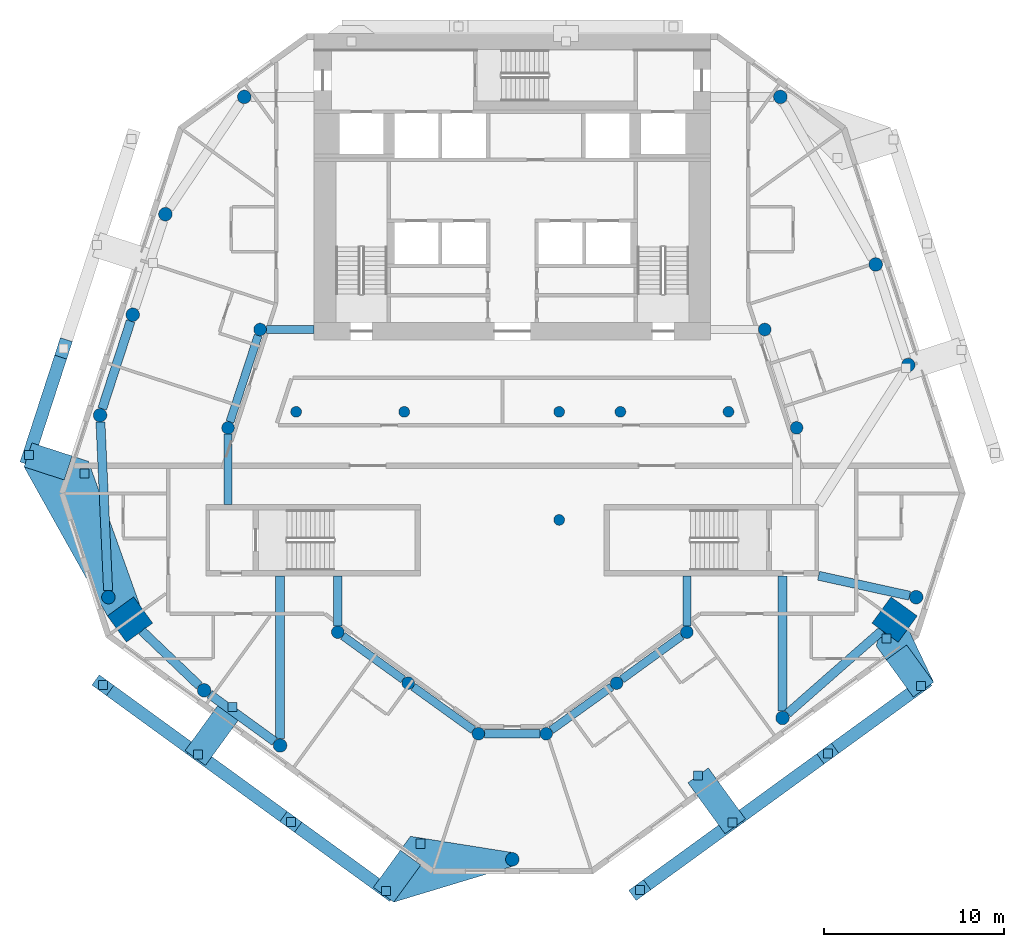
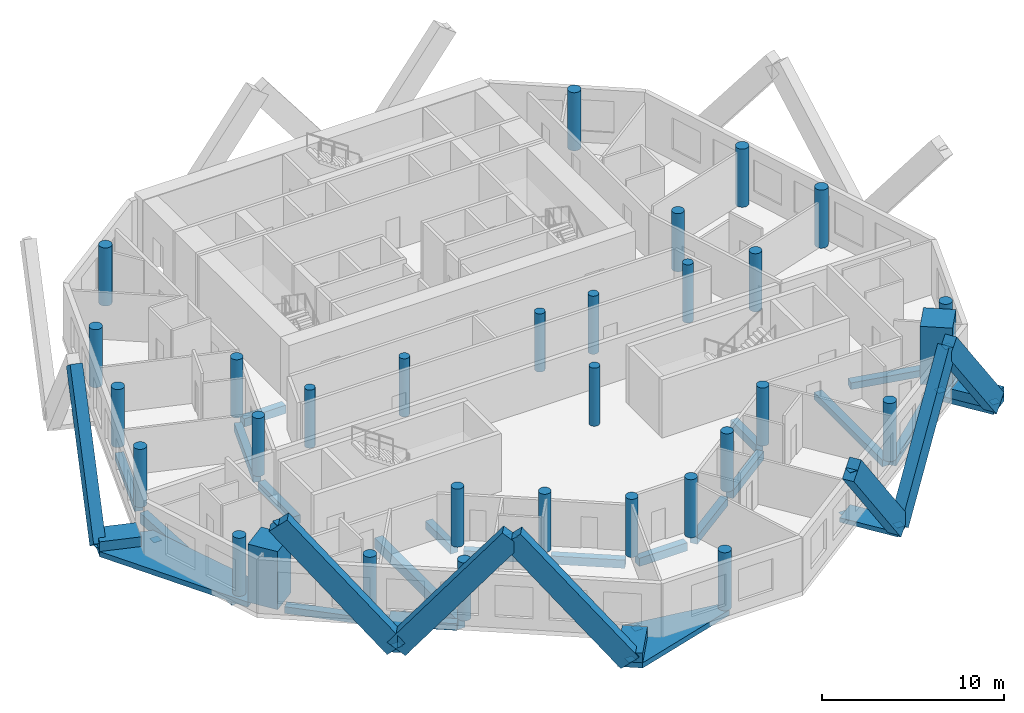
# One storey, part 1 of 10: 31 columns, 18 beams, 15 members, 14 discrete accessories.
"""IFC4 building model written with IfcOpenShell, lengths in metres."""

from ifc_helpers import new_model, si_unit, direction, frame, origin, origin_2d, place, context, subcontext, project, spatial, polyline, rectangle, circle, outline, extrude, material, layer, layer_set, material_profile, profile_set, type_object, element, aggregate, save


model = new_model("IFC4")

# Units and contexts
model_context = context("Model", 3, precision=1e-05, world=origin(), true_north=direction((0.0, 1.0)))
body_context = subcontext(model_context, "Body", "Model", "MODEL_VIEW")
ifc_project = project(units=[si_unit("LENGTHUNIT", "METRE"), si_unit("AREAUNIT", "SQUARE_METRE"), si_unit("VOLUMEUNIT", "CUBIC_METRE"), si_unit("PLANEANGLEUNIT", "RADIAN"), si_unit("MASSUNIT", "GRAM", prefix="KILO")], contexts=[model_context])

# Site, building, storey
site_placement = place(None, origin())
site = spatial("IfcSite", under=ifc_project, at=site_placement, CompositionType="ELEMENT")
building_placement = place(site_placement, origin())
building = spatial("IfcBuilding", under=site, at=building_placement, Name="White Candle Pilgrim Tower", CompositionType="ELEMENT")
storey_placement = place(building_placement, frame((0.0, 0.0, 183.699951171875)))
storey = spatial("IfcBuildingStorey", under=building, at=storey_placement, Name="L42", CompositionType="ELEMENT", Elevation=183.699951171875)

# Columns
ifc_material_1 = material(Name="Concrete C70/85", Category="concrete")
ifc_material_profile_1 = material_profile(ifc_material_1, circle(Radius=0.300048828125, at=origin_2d()), Name="RC-COL D600")
ifc_profile_set_1 = profile_set([ifc_material_profile_1], Name="Concrete C70/85")
column_type_1 = type_object("IfcColumnType", Name="Interior column RC-COL D600 C70/85", PredefinedType="COLUMN", material=ifc_profile_set_1)
for number, where, z_axis, x_axis, name in (
    (1, (58.0, 67.0, 0.0), (0.0, 0.0, 1.0), (1.0, 0.0, 0.0), "L42 column I01"),
    (2, (64.0, 67.0, 0.0), (0.0, 0.0, 1.0), (1.0, 0.0, 0.0), "L42 column I02"),
    (3, (72.60009765625, 61.0, 0.0), (0.0, 0.0, 1.0), (1.0, 0.0, 0.0), "L42 column I03"),
    (4, (72.60009765625, 67.0, 0.0), (0.0, 0.0, 1.0), (1.0, 0.0, 0.0), "L42 column I04"),
    (5, (76.0, 67.0, 0.0), (0.0, 0.0, 1.0), (1.0, 0.0, 0.0), "L42 column I05"),
    (6, (82.0, 67.0, 0.0), (0.0, 0.0, 1.0), (1.0, 0.0, 0.0), "L42 column I06"),
):
    element("IfcColumn", number, at=place(storey_placement, frame(where, z_axis=z_axis, x_axis=x_axis)), inside=storey, type_object=column_type_1, Name=name, PredefinedType="COLUMN", context=body_context, shape_type="SweptSolid", body=[
        extrude(circle(Radius=0.300048828125, at=origin_2d()), origin(), (0.0, 0.0, 1.0), 3.900146484375),
    ])
ifc_material_profile_2 = material_profile(ifc_material_1, rectangle(XDim=1.800048828125, YDim=1.800048828125, at=origin_2d()), Name="RC 1800x1800")
ifc_profile_set_2 = profile_set([ifc_material_profile_2], Name="Concrete C70/85")
column_type_2 = type_object("IfcColumnType", Name="Mega column RC 1800x1800 C70/85", PredefinedType="COLUMN", material=ifc_profile_set_2)
for number, where, z_axis, x_axis, name in (
    (7, (48.780029296875, 55.469970703125, 0.0), (0.0, 0.0, 1.0), (-0.809016994375, -0.587785252292, 0.0), "L42 mega column T02"),
    (8, (91.219970703125, 55.469970703125, 0.0), (0.0, 0.0, 1.0), (0.809016994375, -0.587785252292, 0.0), "L42 mega column T07"),
):
    element("IfcColumn", number, at=place(storey_placement, frame(where, z_axis=z_axis, x_axis=x_axis)), inside=storey, type_object=column_type_2, Name=name, PredefinedType="COLUMN", context=body_context, shape_type="SweptSolid", body=[
        extrude(rectangle(XDim=1.800048828125, YDim=1.800048828125, at=origin_2d()), origin(), (0.0, 0.0, 1.0), 3.900146484375),
    ])
ifc_material_profile_3 = material_profile(ifc_material_1, circle(Radius=0.375, at=origin_2d()), Name="RC-COL D750")
ifc_profile_set_3 = profile_set([ifc_material_profile_3], Name="Concrete C70/85")
column_type_3 = type_object("IfcColumnType", Name="Perimeter column RC-COL D750 C70/85", PredefinedType="COLUMN", material=ifc_profile_set_3)
for number, where, z_axis, x_axis, name in (
    (9, (47.580078125, 56.7099609375, 0.0), (0.0, 0.0, 1.0), (1.0, 0.0, 0.0), "L42 column T01"),
    (10, (52.889892578125, 51.5400390625, 0.0), (0.0, 0.0, 1.0), (1.0, 0.0, 0.0), "L42 column T03"),
    (11, (57.110107421875, 48.47998046875, 0.0), (0.0, 0.0, 1.0), (1.0, 0.0, 0.0), "L42 column T04"),
    (12, (70.0, 42.159912109375, 0.0), (0.0, 0.0, 1.0), (1.0, 0.0, 0.0), "L42 column T05"),
    (13, (85.0, 50.010009765625, 0.0), (0.0, 0.0, 1.0), (1.0, 0.0, 0.0), "L42 column T06"),
    (14, (92.419921875, 56.7099609375, 0.0), (0.0, 0.0, 1.0), (1.0, 0.0, 0.0), "L42 column T08"),
    (15, (91.97998046875, 69.60009765625, 0.0), (0.0, 0.0, 1.0), (1.0, 0.0, 0.0), "L42 column T09"),
    (16, (90.169921875, 75.179931640625, 0.0), (0.0, 0.0, 1.0), (1.0, 0.0, 0.0), "L42 column T10"),
    (17, (84.8798828125, 84.47998046875, 0.0), (0.0, 0.0, 1.0), (1.0, 0.0, 0.0), "L42 column T11"),
    (18, (55.1201171875, 84.47998046875, 0.0), (0.0, 0.0, 1.0), (1.0, 0.0, 0.0), "L42 column T12"),
    (19, (50.739990234375, 77.969970703125, 0.0), (0.0, 0.0, 1.0), (1.0, 0.0, 0.0), "L42 column T13"),
    (20, (48.929931640625, 72.389892578125, 0.0), (0.0, 0.0, 1.0), (1.0, 0.0, 0.0), "L42 column T14"),
    (21, (47.1201171875, 66.81005859375, 0.0), (0.0, 0.0, 1.0), (1.0, 0.0, 0.0), "L42 column T15"),
):
    element("IfcColumn", number, at=place(storey_placement, frame(where, z_axis=z_axis, x_axis=x_axis)), inside=storey, type_object=column_type_3, Name=name, PredefinedType="COLUMN", context=body_context, shape_type="SweptSolid", body=[
        extrude(circle(Radius=0.375, at=origin_2d()), origin(), (0.0, 0.0, 1.0), 3.900146484375),
    ])
ifc_material_profile_4 = material_profile(ifc_material_1, circle(Radius=0.35009765625, at=origin_2d()), Name="RC-COL D700")
ifc_profile_set_4 = profile_set([ifc_material_profile_4], Name="Concrete C70/85")
column_type_4 = type_object("IfcColumnType", Name="Ring column RC-COL D700 C70/85", PredefinedType="COLUMN", material=ifc_profile_set_4)
for number, where, z_axis, x_axis, name in (
    (22, (60.31005859375, 54.77001953125, 0.0), (0.0, 0.0, 1.0), (1.0, 0.0, 0.0), "L42 column R01"),
    (23, (64.219970703125, 51.93994140625, 0.0), (0.0, 0.0, 1.0), (1.0, 0.0, 0.0), "L42 column R02"),
    (24, (68.1201171875, 49.1298828125, 0.0), (0.0, 0.0, 1.0), (1.0, 0.0, 0.0), "L42 column R03"),
    (25, (71.8798828125, 49.1298828125, 0.0), (0.0, 0.0, 1.0), (1.0, 0.0, 0.0), "L42 column R04"),
    (26, (75.7900390625, 51.93994140625, 0.0), (0.0, 0.0, 1.0), (1.0, 0.0, 0.0), "L42 column R05"),
    (27, (79.68994140625, 54.77001953125, 0.0), (0.0, 0.0, 1.0), (1.0, 0.0, 0.0), "L42 column R06"),
    (28, (85.780029296875, 66.110107421875, 0.0), (0.0, 0.0, 1.0), (1.0, 0.0, 0.0), "L42 column R07"),
    (29, (84.010009765625, 71.570068359375, 0.0), (0.0, 0.0, 1.0), (1.0, 0.0, 0.0), "L42 column R08"),
    (30, (56.0, 71.570068359375, 0.0), (0.0, 0.0, 1.0), (1.0, 0.0, 0.0), "L42 column R09"),
    (31, (54.219970703125, 66.110107421875, 0.0), (0.0, 0.0, 1.0), (1.0, 0.0, 0.0), "L42 column R10"),
):
    element("IfcColumn", number, at=place(storey_placement, frame(where, z_axis=z_axis, x_axis=x_axis)), inside=storey, type_object=column_type_4, Name=name, PredefinedType="COLUMN", context=body_context, shape_type="SweptSolid", body=[
        extrude(circle(Radius=0.35009765625, at=origin_2d()), origin(), (0.0, 0.0, 1.0), 3.900146484375),
    ])

# Member
ifc_material_2 = material(Name="Concrete C70/85, white", Category="concrete")
ifc_material_profile_5 = material_profile(ifc_material_2, rectangle(XDim=0.699951171875, YDim=1.300048828125, at=origin_2d()), Name="RC-DG 700x1300")
ifc_profile_set_5 = profile_set([ifc_material_profile_5], Name="Concrete C70/85, white")
member_type_1 = type_object("IfcMemberType", Name="Exoskeleton diagonal RC-DG 700x1300 C70/85", PredefinedType="BRACE", material=ifc_profile_set_5)
member_1_placement = place(storey_placement, frame((82.2255859375, 44.191650390625, 0.0), z_axis=(-0.511517138417, -0.371646518601, 0.77474452713), x_axis=(0.587793081984, -0.809011305713, 0.0)))
member_1 = element("IfcMember", 32, at=member_1_placement, inside=storey, type_object=member_type_1, Name="Exoskeleton diagonal EX154", PredefinedType="BRACE", context=body_context, shape_type="SweptSolid", body=[
    extrude(rectangle(XDim=0.699951171875, YDim=1.300048828125, at=origin_2d()), origin(), (0.0, 0.0, 1.0), 10.06787109375),
])

member_2_placement = place(storey_placement, frame((82.2255859375, 44.191650390625, 0.0), z_axis=(0.519513216788, 0.37744607488, 0.766577118195), x_axis=(-0.58778283569, 0.809018750134, 0.0)))
member_2 = element("IfcMember", 33, at=member_2_placement, inside=storey, type_object=member_type_1, Name="Exoskeleton diagonal EX155", PredefinedType="BRACE", context=body_context, shape_type="SweptSolid", body=[
    extrude(rectangle(XDim=0.699951171875, YDim=1.300048828125, at=origin_2d()), origin(), (0.0, 0.0, 1.0), 10.175048828125),
])

member_3_placement = place(storey_placement, frame((92.67626953125, 51.784423828125, 0.0), z_axis=(-0.512391704332, -0.372267566601, 0.773867947514), x_axis=(0.587778227554, -0.809022098099, 0.0)))
member_3 = element("IfcMember", 34, at=member_3_placement, inside=storey, type_object=member_type_1, Name="Exoskeleton diagonal EX156", PredefinedType="BRACE", context=body_context, shape_type="SweptSolid", body=[
    extrude(rectangle(XDim=0.699951171875, YDim=1.300048828125, at=origin_2d()), origin(), (0.0, 0.0, 1.0), 10.079345703125),
])

member_4_placement = place(storey_placement, frame((52.549072265625, 47.988037109375, 0.0), z_axis=(-0.519086120855, 0.377154886627, 0.76700964181), x_axis=(-0.587802332221, -0.809004584805, 0.0)))
member_4 = element("IfcMember", 35, at=member_4_placement, inside=storey, type_object=member_type_1, Name="Exoskeleton diagonal EX166", PredefinedType="BRACE", context=body_context, shape_type="SweptSolid", body=[
    extrude(rectangle(XDim=0.699951171875, YDim=1.300048828125, at=origin_2d()), origin(), (0.0, 0.0, 1.0), 10.16943359375),
])

member_5_placement = place(storey_placement, frame((52.549072265625, 47.988037109375, 0.0), z_axis=(0.51195709922, -0.371946866206, 0.774309664978), x_axis=(0.587773110758, 0.809025815577, 0.0)))
member_5 = element("IfcMember", 36, at=member_5_placement, inside=storey, type_object=member_type_1, Name="Exoskeleton diagonal EX167", PredefinedType="BRACE", context=body_context, shape_type="SweptSolid", body=[
    extrude(rectangle(XDim=0.699951171875, YDim=1.300048828125, at=origin_2d()), origin(), (0.0, 0.0, 1.0), 10.073486328125),
])

member_6_placement = place(storey_placement, frame((62.999755859375, 40.395263671875, 0.0), z_axis=(-0.519934885696, 0.377757321943, 0.766137794627), x_axis=(-0.587787814297, -0.809015132964, 0.0)))
member_6 = element("IfcMember", 37, at=member_6_placement, inside=storey, type_object=member_type_1, Name="Exoskeleton diagonal EX168", PredefinedType="BRACE", context=body_context, shape_type="SweptSolid", body=[
    extrude(rectangle(XDim=0.699951171875, YDim=1.300048828125, at=origin_2d()), origin(), (0.0, 0.0, 1.0), 10.180908203125),
])

member_7_placement = place(storey_placement, frame((43.162109375, 64.592529296875, 0.0), z_axis=(0.192878658945, 0.593578142501, 0.781321196224), x_axis=(-0.9510501925, 0.309036456338, 0.0)))
member_7 = element("IfcMember", 38, at=member_7_placement, inside=storey, type_object=member_type_1, Name="Exoskeleton diagonal EX180", PredefinedType="BRACE", context=body_context, shape_type="SweptSolid", body=[
    extrude(rectangle(XDim=0.699951171875, YDim=1.300048828125, at=origin_2d()), origin(), (0.0, 0.0, 1.0), 9.983154296875),
])

ifc_layer_1 = layer(ifc_material_2, 0.300048828125)
ifc_layer_set_1 = layer_set([ifc_layer_1], Name="Node tie strut 3300x1400x300 C70/85")
member_type_2 = type_object("IfcMemberType", Name="Node tie strut 3300x1400x300 C70/85", PredefinedType="STRUT", material=ifc_layer_set_1)
member_8_placement = place(storey_placement, frame((0.0, 0.0, -0.349853515625)))
member_8 = element("IfcMember", 39, at=member_8_placement, inside=storey, type_object=member_type_2, Name="Node tie strut NC140", PredefinedType="STRUT", context=body_context, shape_type="SweptSolid", body=[
    extrude(outline(polyline([(47.52294921875, 55.669189453125), (48.97900390625, 56.72705078125), (49.3349609375, 56.2373046875), (46.469482421875, 64.254150390625), (43.3310546875, 65.273681640625), (42.898193359375, 63.9423828125), (47.52294921875, 55.669189453125)])), origin(), (0.0, 0.0, 1.0), 0.349853515625),
])

member_9_placement = place(storey_placement, origin())
element("IfcMember", 40, at=member_9_placement, inside=storey, type_object=member_type_2, Name="Node tie strut NC140", PredefinedType="STRUT", context=body_context, shape_type="SweptSolid", body=[
    extrude(outline(polyline([(45.13330078125, 63.216064453125), (45.56591796875, 64.547607421875), (43.3310546875, 65.273681640625), (42.898193359375, 63.9423828125), (45.13330078125, 63.216064453125)])), origin(), (0.0, 0.0, 1.0), 0.650146484375),
])

ifc_layer_2 = layer(ifc_material_2, 0.300048828125)
ifc_layer_set_2 = layer_set([ifc_layer_2], Name="Node tie strut 3500x1400x300 C70/85")
member_type_3 = type_object("IfcMemberType", Name="Node tie strut 3500x1400x300 C70/85", PredefinedType="STRUT", material=ifc_layer_set_2)
member_10_placement = place(storey_placement, frame((81.343994140625, 45.4052734375, -0.2998046875), z_axis=(0.0, 0.0, 1.0), x_axis=(0.809016994375, 0.587785252292, 0.0)))
member_10 = element("IfcMember", 41, at=member_10_placement, inside=storey, type_object=member_type_3, Name="Node tie strut NC135", PredefinedType="STRUT", context=body_context, shape_type="SweptSolid", body=[
    extrude(rectangle(XDim=1.39990234375, YDim=3.5, at=origin_2d()), origin(), (0.0, 0.0, 1.0), 0.300048828125),
])

member_11_placement = place(storey_placement, frame((0.0, 0.0, -0.349853515625)))
member_11 = element("IfcMember", 42, at=member_11_placement, inside=storey, type_object=member_type_3, Name="Node tie strut NC136", PredefinedType="STRUT", context=body_context, shape_type="SweptSolid", body=[
    extrude(outline(polyline([(92.2568359375, 51.1708984375), (93.389404296875, 51.99365234375), (91.968994140625, 54.969482421875), (91.419189453125, 54.212890625), (90.44384765625, 54.92138671875), (90.19970703125, 54.002197265625), (92.2568359375, 51.1708984375)])), origin(), (0.0, 0.0, 1.0), 0.349853515625),
])

member_12_placement = place(storey_placement, origin())
element("IfcMember", 43, at=member_12_placement, inside=storey, type_object=member_type_3, Name="Node tie strut NC136", PredefinedType="STRUT", context=body_context, shape_type="SweptSolid", body=[
    extrude(outline(polyline([(92.2568359375, 51.1708984375), (93.389404296875, 51.99365234375), (91.890625, 54.056640625), (90.758056640625, 53.23388671875), (92.2568359375, 51.1708984375)])), origin(), (0.0, 0.0, 1.0), 0.650146484375),
])

member_13_placement = place(storey_placement, frame((53.430908203125, 49.20166015625, -0.2998046875), z_axis=(0.0, 0.0, 1.0), x_axis=(0.809016994375, -0.587785252292, 0.0)))
member_13 = element("IfcMember", 44, at=member_13_placement, inside=storey, type_object=member_type_3, Name="Node tie strut NC137", PredefinedType="STRUT", context=body_context, shape_type="SweptSolid", body=[
    extrude(rectangle(XDim=1.39990234375, YDim=3.5, at=origin_2d()), origin(), (0.0, 0.0, 1.0), 0.300048828125),
])

member_14_placement = place(storey_placement, frame((0.0, 0.0, -0.349853515625)))
member_14 = element("IfcMember", 45, at=member_14_placement, inside=storey, type_object=member_type_3, Name="Node tie strut NC138", PredefinedType="STRUT", context=body_context, shape_type="SweptSolid", body=[
    extrude(outline(polyline([(63.419189453125, 39.781494140625), (70.09716796875, 41.7978515625), (70.0732421875, 41.792236328125), (70.048828125, 41.7880859375), (70.0244140625, 41.785888671875), (70.0, 41.784912109375), (69.9755859375, 41.785888671875), (69.951171875, 41.7880859375), (69.9267578125, 41.792236328125), (69.90283203125, 41.7978515625), (69.87939453125, 41.804931640625), (69.8564453125, 41.8134765625), (69.833984375, 41.82373046875), (69.8125, 41.835205078125), (69.791748046875, 41.84814453125), (69.771728515625, 41.862548828125), (69.752685546875, 41.878173828125), (69.73486328125, 41.894775390625), (69.718017578125, 41.91259765625), (69.702392578125, 41.931640625), (69.688232421875, 41.95166015625), (69.67529296875, 41.972412109375), (69.663818359375, 41.994140625), (69.653564453125, 42.0166015625), (69.64501953125, 42.03955078125), (69.6376953125, 42.06298828125), (69.632080078125, 42.0869140625), (69.628173828125, 42.111083984375), (69.625732421875, 42.135498046875), (69.625, 42.159912109375), (69.625732421875, 42.1845703125), (69.628173828125, 42.208984375), (69.632080078125, 42.233154296875), (69.6376953125, 42.257080078125), (69.64501953125, 42.280517578125), (69.653564453125, 42.303466796875), (69.663818359375, 42.325927734375), (69.67529296875, 42.347412109375), (69.688232421875, 42.368408203125), (69.702392578125, 42.38818359375), (69.718017578125, 42.4072265625), (69.73486328125, 42.42529296875), (69.752685546875, 42.44189453125), (69.771728515625, 42.45751953125), (69.791748046875, 42.4716796875), (69.8125, 42.48486328125), (69.833984375, 42.496337890625), (69.8564453125, 42.506591796875), (69.87939453125, 42.51513671875), (69.90283203125, 42.522216796875), (69.9267578125, 42.52783203125), (69.951171875, 42.53173828125), (69.9755859375, 42.5341796875), (70.0, 42.534912109375), (70.0244140625, 42.5341796875), (70.048828125, 42.53173828125), (64.34375, 43.43603515625), (62.28662109375, 40.6044921875), (63.419189453125, 39.781494140625)])), origin(), (0.0, 0.0, 1.0), 0.349853515625),
])

member_15_placement = place(storey_placement, origin())
element("IfcMember", 46, at=member_15_placement, inside=storey, type_object=member_type_3, Name="Node tie strut NC138", PredefinedType="STRUT", context=body_context, shape_type="SweptSolid", body=[
    extrude(outline(polyline([(63.419189453125, 39.781494140625), (64.91796875, 41.844482421875), (63.785400390625, 42.66748046875), (62.28662109375, 40.6044921875), (63.419189453125, 39.781494140625)])), origin(), (0.0, 0.0, 1.0), 0.650146484375),
])

# Beams
ifc_material_3 = material(Name="Concrete C50/60", Category="concrete")
ifc_material_profile_6 = material_profile(ifc_material_3, rectangle(XDim=0.449951171875, YDim=0.550048828125, at=origin_2d()), Name="RC-BM 450x550")
ifc_profile_set_6 = profile_set([ifc_material_profile_6], Name="Concrete C50/60")
beam_type_1 = type_object("IfcBeamType", Name="Ring beam RC-BM 450x550 C50/60", PredefinedType="BEAM", material=ifc_profile_set_6)
beam_1_placement = place(storey_placement, frame((60.593505859375, 54.56494140625, -0.574951171875), z_axis=(0.810043858436, -0.586369292691, 0.0), x_axis=(0.586369292691, 0.810043858436, 0.0)))
element("IfcBeam", 47, at=beam_1_placement, inside=storey, type_object=beam_type_1, Name="L42 ring beam R01", PredefinedType="BEAM", context=body_context, shape_type="SweptSolid", body=[
    extrude(rectangle(XDim=0.449951171875, YDim=0.550048828125, at=origin_2d()), origin(), (0.0, 0.0, 1.0), 4.126953125),
])
beam_2_placement = place(storey_placement, frame((64.50390625, 51.735595703125, -0.574951171875), z_axis=(0.811316688041, -0.584606903574, 0.0), x_axis=(0.584606903574, 0.811316688041, 0.0)))
element("IfcBeam", 48, at=beam_2_placement, inside=storey, type_object=beam_type_1, Name="L42 ring beam R02", PredefinedType="BEAM", context=body_context, shape_type="SweptSolid", body=[
    extrude(rectangle(XDim=0.449951171875, YDim=0.550048828125, at=origin_2d()), origin(), (0.0, 0.0, 1.0), 4.107177734375),
])
beam_3_placement = place(storey_placement, frame((68.469970703125, 49.1298828125, -0.574951171875), z_axis=(1.0, 0.0, 0.0), x_axis=(0.0, 1.0, 0.0)))
element("IfcBeam", 49, at=beam_3_placement, inside=storey, type_object=beam_type_1, Name="L42 ring beam R03", PredefinedType="BEAM", context=body_context, shape_type="SweptSolid", body=[
    extrude(rectangle(XDim=0.449951171875, YDim=0.550048828125, at=origin_2d()), origin(), (0.0, 0.0, 1.0), 3.06005859375),
])
beam_4_placement = place(storey_placement, frame((72.1640625, 49.333984375, -0.574951171875), z_axis=(0.812022399974, 0.583626269063, 0.0), x_axis=(-0.583626269063, 0.812022399974, 0.0)))
element("IfcBeam", 50, at=beam_4_placement, inside=storey, type_object=beam_type_1, Name="L42 ring beam R04", PredefinedType="BEAM", context=body_context, shape_type="SweptSolid", body=[
    extrude(rectangle(XDim=0.449951171875, YDim=0.550048828125, at=origin_2d()), origin(), (0.0, 0.0, 1.0), 4.115478515625),
])
beam_5_placement = place(storey_placement, frame((76.072998046875, 52.1455078125, -0.574951171875), z_axis=(0.809401961177, 0.587255025728, 0.0), x_axis=(-0.587255025728, 0.809401961177, 0.0)))
element("IfcBeam", 51, at=beam_5_placement, inside=storey, type_object=beam_type_1, Name="L42 ring beam R05", PredefinedType="BEAM", context=body_context, shape_type="SweptSolid", body=[
    extrude(rectangle(XDim=0.449951171875, YDim=0.550048828125, at=origin_2d()), origin(), (0.0, 0.0, 1.0), 4.119140625),
])
beam_6_placement = place(storey_placement, frame((79.68994140625, 55.1201171875, -0.574951171875), z_axis=(0.0, 1.0, 0.0), x_axis=(-1.0, 0.0, 0.0)))
element("IfcBeam", 52, at=beam_6_placement, inside=storey, type_object=beam_type_1, Name="L42 ring beam R06", PredefinedType="BEAM", context=body_context, shape_type="SweptSolid", body=[
    extrude(rectangle(XDim=0.449951171875, YDim=0.550048828125, at=origin_2d()), origin(), (0.0, 0.0, 1.0), 2.77978515625),
])
beam_7_placement = place(storey_placement, frame((56.35009765625, 71.570068359375, -0.574951171875), z_axis=(1.0, 0.0, 0.0), x_axis=(0.0, 1.0, 0.0)))
element("IfcBeam", 53, at=beam_7_placement, inside=storey, type_object=beam_type_1, Name="L42 ring beam R10", PredefinedType="BEAM", context=body_context, shape_type="SweptSolid", body=[
    extrude(rectangle(XDim=0.449951171875, YDim=0.550048828125, at=origin_2d()), origin(), (0.0, 0.0, 1.0), 2.64990234375),
])
beam_8_placement = place(storey_placement, frame((55.8916015625, 71.2373046875, -0.574951171875), z_axis=(-0.309975890104, -0.950744417577, 0.0), x_axis=(0.950744417577, -0.309975890104, 0.0)))
element("IfcBeam", 54, at=beam_8_placement, inside=storey, type_object=beam_type_1, Name="L42 ring beam R11", PredefinedType="BEAM", context=body_context, shape_type="SweptSolid", body=[
    extrude(rectangle(XDim=0.449951171875, YDim=0.550048828125, at=origin_2d()), origin(), (0.0, 0.0, 1.0), 5.04296875),
])
beam_9_placement = place(storey_placement, frame((54.219970703125, 65.760009765625, -0.574951171875), z_axis=(0.0, -1.0, 0.0), x_axis=(1.0, 0.0, 0.0)))
element("IfcBeam", 55, at=beam_9_placement, inside=storey, type_object=beam_type_1, Name="L42 ring beam R12", PredefinedType="BEAM", context=body_context, shape_type="SweptSolid", body=[
    extrude(rectangle(XDim=0.449951171875, YDim=0.550048828125, at=origin_2d()), origin(), (0.0, 0.0, 1.0), 3.909912109375),
])
beam_10_placement = place(storey_placement, frame((60.31005859375, 55.1201171875, -0.574951171875), z_axis=(0.0, 1.0, 0.0), x_axis=(-1.0, 0.0, 0.0)))
element("IfcBeam", 56, at=beam_10_placement, inside=storey, type_object=beam_type_1, Name="L42 ring beam R13", PredefinedType="BEAM", context=body_context, shape_type="SweptSolid", body=[
    extrude(rectangle(XDim=0.449951171875, YDim=0.550048828125, at=origin_2d()), origin(), (0.0, 0.0, 1.0), 2.77978515625),
])
ifc_material_profile_7 = material_profile(ifc_material_3, rectangle(XDim=0.5, YDim=0.449951171875, at=origin_2d()), Name="RC-BM 500x450")
ifc_profile_set_7 = profile_set([ifc_material_profile_7], Name="Concrete C50/60")
beam_type_2 = type_object("IfcBeamType", Name="Spandrel beam RC-BM 500x450 C50/60", PredefinedType="BEAM", material=ifc_profile_set_7)
beam_11_placement = place(storey_placement, frame((49.441162109375, 54.837890625, -0.52490234375), z_axis=(0.722753991569, -0.691105395487, 0.0), x_axis=(0.691105395487, 0.722753991569, 0.0)))
element("IfcBeam", 57, at=beam_11_placement, inside=storey, type_object=beam_type_2, Name="L42 spandrel beam T01", PredefinedType="BEAM", context=body_context, shape_type="SweptSolid", body=[
    extrude(rectangle(XDim=0.5, YDim=0.449951171875, at=origin_2d()), origin(), (0.0, 0.0, 1.0), 4.39697265625),
])
beam_12_placement = place(storey_placement, frame((53.193359375, 51.320068359375, -0.52490234375), z_axis=(0.809558451789, -0.587039277338, 0.0), x_axis=(0.587039277338, 0.809558451789, 0.0)))
element("IfcBeam", 58, at=beam_12_placement, inside=storey, type_object=beam_type_2, Name="L42 spandrel beam T02", PredefinedType="BEAM", context=body_context, shape_type="SweptSolid", body=[
    extrude(rectangle(XDim=0.5, YDim=0.449951171875, at=origin_2d()), origin(), (0.0, 0.0, 1.0), 4.46337890625),
])
beam_13_placement = place(storey_placement, frame((85.0, 50.385009765625, -0.52490234375), z_axis=(0.0, 1.0, 0.0), x_axis=(-1.0, 0.0, 0.0)))
element("IfcBeam", 59, at=beam_13_placement, inside=storey, type_object=beam_type_2, Name="L42 spandrel beam T04", PredefinedType="BEAM", context=body_context, shape_type="SweptSolid", body=[
    extrude(rectangle(XDim=0.5, YDim=0.449951171875, at=origin_2d()), origin(), (0.0, 0.0, 1.0), 7.514892578125),
])
beam_14_placement = place(storey_placement, frame((85.28173828125, 50.25732421875, -0.52490234375), z_axis=(0.751529055224, 0.65969999178, 0.0), x_axis=(-0.65969999178, 0.751529055224, 0.0)))
element("IfcBeam", 60, at=beam_14_placement, inside=storey, type_object=beam_type_2, Name="L42 spandrel beam T05", PredefinedType="BEAM", context=body_context, shape_type="SweptSolid", body=[
    extrude(rectangle(XDim=0.5, YDim=0.449951171875, at=origin_2d()), origin(), (0.0, 0.0, 1.0), 6.97900390625),
])
beam_15_placement = place(storey_placement, frame((92.053955078125, 56.790283203125, -0.52490234375), z_axis=(-0.976735666267, 0.214446819148, 0.0), x_axis=(-0.214446819148, -0.976735666267, 0.0)))
element("IfcBeam", 61, at=beam_15_placement, inside=storey, type_object=beam_type_2, Name="L42 spandrel beam T06", PredefinedType="BEAM", context=body_context, shape_type="SweptSolid", body=[
    extrude(rectangle(XDim=0.5, YDim=0.449951171875, at=origin_2d()), origin(), (0.0, 0.0, 1.0), 5.17431640625),
])
beam_16_placement = place(storey_placement, frame((48.814208984375, 72.033447265625, -0.52490234375), z_axis=(-0.308530369215, -0.951214492779, 0.0), x_axis=(0.951214492779, -0.308530369215, 0.0)))
element("IfcBeam", 62, at=beam_16_placement, inside=storey, type_object=beam_type_2, Name="L42 spandrel beam T14", PredefinedType="BEAM", context=body_context, shape_type="SweptSolid", body=[
    extrude(rectangle(XDim=0.5, YDim=0.449951171875, at=origin_2d()), origin(), (0.0, 0.0, 1.0), 5.116455078125),
])
ifc_material_profile_8 = material_profile(ifc_material_3, rectangle(XDim=0.5, YDim=0.699951171875, at=origin_2d()), Name="RC-BM 500x700")
ifc_profile_set_8 = profile_set([ifc_material_profile_8], Name="Concrete C50/60")
beam_type_3 = type_object("IfcBeamType", Name="Spandrel beam RC-BM 500x700 C50/60", PredefinedType="BEAM", material=ifc_profile_set_8)
beam_17_placement = place(storey_placement, frame((57.110107421875, 48.85498046875, -0.64990234375), z_axis=(0.0, 1.0, 0.0), x_axis=(-1.0, 0.0, 0.0)))
element("IfcBeam", 63, at=beam_17_placement, inside=storey, type_object=beam_type_3, Name="L42 spandrel beam T03", PredefinedType="BEAM", context=body_context, shape_type="SweptSolid", body=[
    extrude(rectangle(XDim=0.5, YDim=0.699951171875, at=origin_2d()), origin(), (0.0, 0.0, 1.0), 9.044921875),
])
beam_18_placement = place(storey_placement, frame((47.13720703125, 66.435546875, -0.64990234375), z_axis=(0.045485743277, -0.998964987954, 0.0), x_axis=(0.998964987954, 0.045485743277, 0.0)))
element("IfcBeam", 64, at=beam_18_placement, inside=storey, type_object=beam_type_3, Name="L42 spandrel beam T15", PredefinedType="BEAM", context=body_context, shape_type="SweptSolid", body=[
    extrude(rectangle(XDim=0.5, YDim=0.699951171875, at=origin_2d()), origin(), (0.0, 0.0, 1.0), 9.36083984375),
])

# Discrete accessory
ifc_material_4 = material(Name="Steel S355", Category="steel")
ifc_layer_3 = layer(ifc_material_4, 0.02490234375)
ifc_layer_set_3 = layer_set([ifc_layer_3], Name="Gusset plate 500x500x25 S355")
discrete_accessory_type = type_object("IfcDiscreteAccessoryType", Name="Gusset plate 500x500x25 S355", PredefinedType="BRACKET", material=ifc_layer_set_3)
discrete_accessory_1_placement = place(storey_placement, frame((82.2255859375, 44.191650390625, -0.012451171875), z_axis=(0.0, 0.0, 1.0), x_axis=(1.0, 0.0, 0.0)))
discrete_accessory_1 = element("IfcDiscreteAccessory", 65, at=discrete_accessory_1_placement, type_object=discrete_accessory_type, Name="Gusset plate 0173", PredefinedType="BRACKET", context=body_context, shape_type="SweptSolid", body=[
    extrude(rectangle(XDim=0.5, YDim=0.5, at=origin_2d()), origin(), (0.0, 0.0, 1.0), 0.02490234375),
])

placement = place(building_placement, frame((0.0, 0.0, 191.5)))
discrete_accessory_2_placement = place(placement, frame((77.07568359375, 40.449951171875, -0.012451171875), z_axis=(0.0, 0.0, 1.0), x_axis=(1.0, 0.0, 0.0)))
discrete_accessory_2 = element("IfcDiscreteAccessory", 66, at=discrete_accessory_2_placement, type_object=discrete_accessory_type, Name="Gusset plate 0174", PredefinedType="BRACKET", context=body_context, shape_type="SweptSolid", body=[
    extrude(rectangle(XDim=0.5, YDim=0.5, at=origin_2d()), origin(), (0.0, 0.0, 1.0), 0.02490234375),
])

aggregate(member_1, [discrete_accessory_1, discrete_accessory_2])

discrete_accessory_3_placement = place(placement, frame((87.51171875, 48.0322265625, -0.012451171875), z_axis=(0.0, 0.0, 1.0), x_axis=(1.0, 0.0, 0.0)))
discrete_accessory_3 = element("IfcDiscreteAccessory", 67, at=discrete_accessory_3_placement, type_object=discrete_accessory_type, Name="Gusset plate 0175", PredefinedType="BRACKET", context=body_context, shape_type="SweptSolid", body=[
    extrude(rectangle(XDim=0.5, YDim=0.5, at=origin_2d()), origin(), (0.0, 0.0, 1.0), 0.02490234375),
])

aggregate(member_2, [discrete_accessory_3])

discrete_accessory_4_placement = place(storey_placement, frame((92.67626953125, 51.784423828125, -0.012451171875), z_axis=(0.0, 0.0, 1.0), x_axis=(1.0, 0.0, 0.0)))
discrete_accessory_4 = element("IfcDiscreteAccessory", 68, at=discrete_accessory_4_placement, type_object=discrete_accessory_type, Name="Gusset plate 0176", PredefinedType="BRACKET", context=body_context, shape_type="SweptSolid", body=[
    extrude(rectangle(XDim=0.5, YDim=0.5, at=origin_2d()), origin(), (0.0, 0.0, 1.0), 0.02490234375),
])

aggregate(member_3, [discrete_accessory_4])

discrete_accessory_5_placement = place(storey_placement, frame((52.549072265625, 47.988037109375, -0.012451171875), z_axis=(0.0, 0.0, 1.0), x_axis=(1.0, 0.0, 0.0)))
discrete_accessory_5 = element("IfcDiscreteAccessory", 69, at=discrete_accessory_5_placement, type_object=discrete_accessory_type, Name="Gusset plate 0189", PredefinedType="BRACKET", context=body_context, shape_type="SweptSolid", body=[
    extrude(rectangle(XDim=0.5, YDim=0.5, at=origin_2d()), origin(), (0.0, 0.0, 1.0), 0.02490234375),
])

discrete_accessory_6_placement = place(placement, frame((47.270263671875, 51.823486328125, -0.012451171875), z_axis=(0.0, 0.0, 1.0), x_axis=(1.0, 0.0, 0.0)))
discrete_accessory_6 = element("IfcDiscreteAccessory", 70, at=discrete_accessory_6_placement, type_object=discrete_accessory_type, Name="Gusset plate 0190", PredefinedType="BRACKET", context=body_context, shape_type="SweptSolid", body=[
    extrude(rectangle(XDim=0.5, YDim=0.5, at=origin_2d()), origin(), (0.0, 0.0, 1.0), 0.02490234375),
])

aggregate(member_4, [discrete_accessory_5, discrete_accessory_6])

discrete_accessory_7_placement = place(placement, frame((57.706298828125, 44.2412109375, -0.012451171875), z_axis=(0.0, 0.0, 1.0), x_axis=(1.0, 0.0, 0.0)))
discrete_accessory_7 = element("IfcDiscreteAccessory", 71, at=discrete_accessory_7_placement, type_object=discrete_accessory_type, Name="Gusset plate 0191", PredefinedType="BRACKET", context=body_context, shape_type="SweptSolid", body=[
    extrude(rectangle(XDim=0.5, YDim=0.5, at=origin_2d()), origin(), (0.0, 0.0, 1.0), 0.02490234375),
])

aggregate(member_5, [discrete_accessory_7])

discrete_accessory_8_placement = place(storey_placement, frame((62.999755859375, 40.395263671875, -0.012451171875), z_axis=(0.0, 0.0, 1.0), x_axis=(1.0, 0.0, 0.0)))
discrete_accessory_8 = element("IfcDiscreteAccessory", 72, at=discrete_accessory_8_placement, type_object=discrete_accessory_type, Name="Gusset plate 0192", PredefinedType="BRACKET", context=body_context, shape_type="SweptSolid", body=[
    extrude(rectangle(XDim=0.5, YDim=0.5, at=origin_2d()), origin(), (0.0, 0.0, 1.0), 0.02490234375),
])

aggregate(member_6, [discrete_accessory_8])

discrete_accessory_9_placement = place(storey_placement, frame((43.162109375, 64.592529296875, -0.012451171875), z_axis=(0.0, 0.0, 1.0), x_axis=(1.0, 0.0, 0.0)))
discrete_accessory_9 = element("IfcDiscreteAccessory", 73, at=discrete_accessory_9_placement, type_object=discrete_accessory_type, Name="Gusset plate 0206", PredefinedType="BRACKET", context=body_context, shape_type="SweptSolid", body=[
    extrude(rectangle(XDim=0.5, YDim=0.5, at=origin_2d()), origin(), (0.0, 0.0, 1.0), 0.02490234375),
])

aggregate(member_7, [discrete_accessory_9])

discrete_accessory_10_placement = place(storey_placement, frame((80.315185546875, 46.821044921875, -0.162353515625), z_axis=(0.0, 0.0, 1.0), x_axis=(1.0, 0.0, 0.0)))
discrete_accessory_10 = element("IfcDiscreteAccessory", 74, at=discrete_accessory_10_placement, type_object=discrete_accessory_type, Name="Gusset plate 0516", PredefinedType="BRACKET", context=body_context, shape_type="SweptSolid", body=[
    extrude(rectangle(XDim=0.5, YDim=0.5, at=origin_2d()), origin(), (0.0, 0.0, 1.0), 0.02490234375),
])

aggregate(member_10, [discrete_accessory_10])

discrete_accessory_11_placement = place(storey_placement, frame((90.765869140625, 54.413818359375, -0.162353515625), z_axis=(0.0, 0.0, 1.0), x_axis=(1.0, 0.0, 0.0)))
discrete_accessory_11 = element("IfcDiscreteAccessory", 75, at=discrete_accessory_11_placement, type_object=discrete_accessory_type, Name="Gusset plate 0517", PredefinedType="BRACKET", context=body_context, shape_type="SweptSolid", body=[
    extrude(rectangle(XDim=0.5, YDim=0.5, at=origin_2d()), origin(), (0.0, 0.0, 1.0), 0.02490234375),
])

aggregate(member_11, [discrete_accessory_11])

discrete_accessory_12_placement = place(storey_placement, frame((54.45947265625, 50.617431640625, -0.162353515625), z_axis=(0.0, 0.0, 1.0), x_axis=(1.0, 0.0, 0.0)))
discrete_accessory_12 = element("IfcDiscreteAccessory", 76, at=discrete_accessory_12_placement, type_object=discrete_accessory_type, Name="Gusset plate 0518", PredefinedType="BRACKET", context=body_context, shape_type="SweptSolid", body=[
    extrude(rectangle(XDim=0.5, YDim=0.5, at=origin_2d()), origin(), (0.0, 0.0, 1.0), 0.02490234375),
])

aggregate(member_13, [discrete_accessory_12])

discrete_accessory_13_placement = place(storey_placement, frame((64.909912109375, 43.024658203125, -0.162353515625), z_axis=(0.0, 0.0, 1.0), x_axis=(1.0, 0.0, 0.0)))
discrete_accessory_13 = element("IfcDiscreteAccessory", 77, at=discrete_accessory_13_placement, type_object=discrete_accessory_type, Name="Gusset plate 0519", PredefinedType="BRACKET", context=body_context, shape_type="SweptSolid", body=[
    extrude(rectangle(XDim=0.5, YDim=0.5, at=origin_2d()), origin(), (0.0, 0.0, 1.0), 0.02490234375),
])

aggregate(member_14, [discrete_accessory_13])

discrete_accessory_14_placement = place(storey_placement, frame((46.253173828125, 63.58837890625, -0.162353515625), z_axis=(0.0, 0.0, 1.0), x_axis=(1.0, 0.0, 0.0)))
discrete_accessory_14 = element("IfcDiscreteAccessory", 78, at=discrete_accessory_14_placement, type_object=discrete_accessory_type, Name="Gusset plate 0521", PredefinedType="BRACKET", context=body_context, shape_type="SweptSolid", body=[
    extrude(rectangle(XDim=0.5, YDim=0.5, at=origin_2d()), origin(), (0.0, 0.0, 1.0), 0.02490234375),
])

aggregate(member_8, [discrete_accessory_14])

save(model, "model.ifc")
